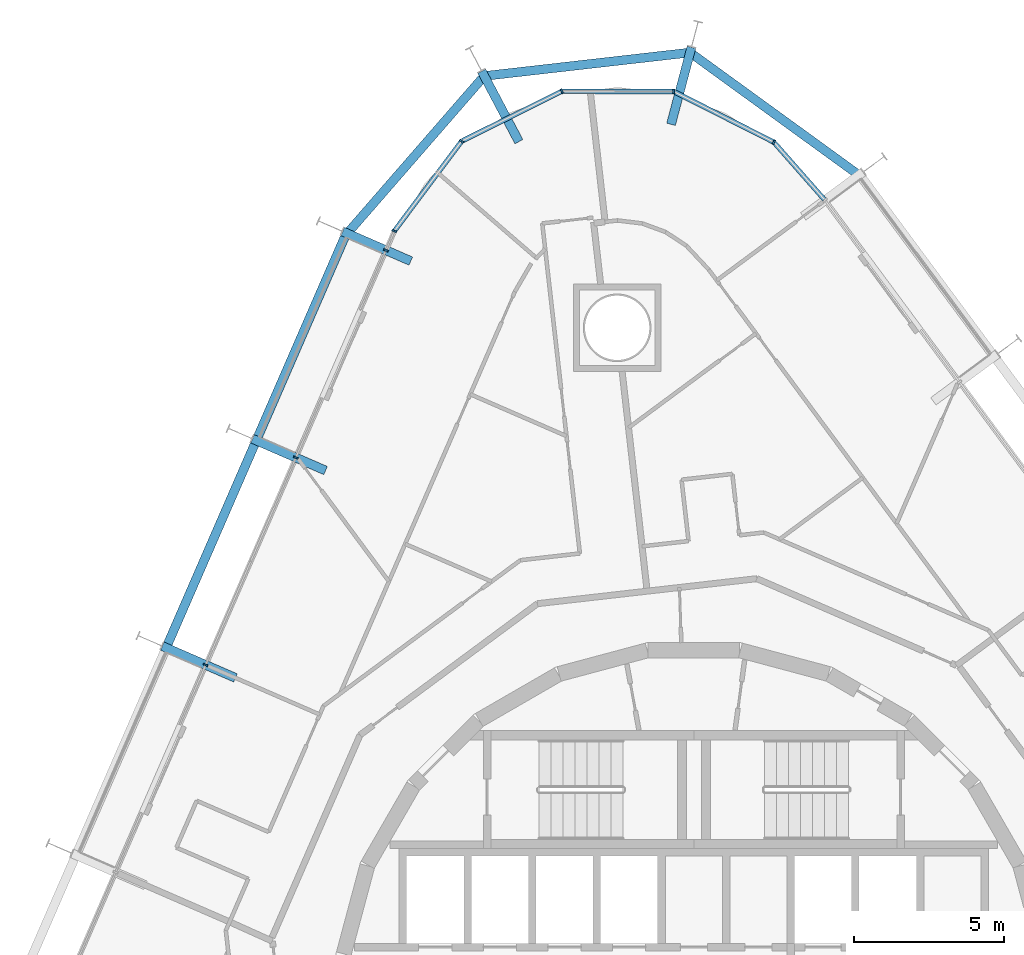
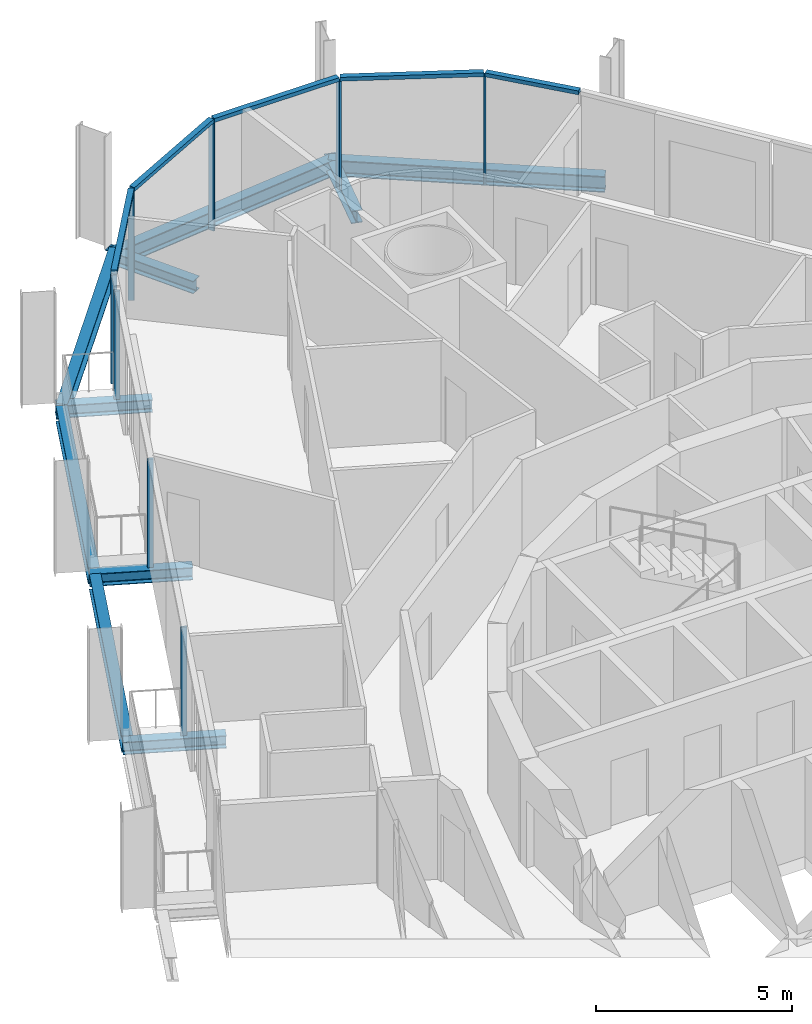
# One storey, part 9 of 24: 13 members, 10 beams, 2 elements without a shape of their own.
"""IFC4 building model written with IfcOpenShell, lengths in metres."""

import ifcopenshell
import ifcopenshell.guid

model = None  # the IFC model being written
_history = None  # IfcOwnerHistory: only IFC2X3 demands one
_inside = {}  # id of a spatial element -> (the spatial element, [elements in it])
_under = {}  # id of a project, library or spatial element -> (it, [spatial elements below it])
_declared = {}  # id of a project -> (the project, [libraries it declares])
_typed = {}  # id of a type object -> (the type object, [elements of that type])
_made_of = {}  # id of a material, layer set ... -> (it, [elements and type objects made of it])


def new_model(schema):
    """Start an empty IFC model of exactly this schema.

    Asked for "IFC4X3", IfcOpenShell would pick the latest addendum, in which some entities
    have other attributes; the version numbers below select the first issue.
    IFC2X3 requires an IfcOwnerHistory on every rooted entity: one is made here for all.
    """
    global model, _history
    if schema == "IFC4X3":
        model = ifcopenshell.file(schema_version=(4, 3, 0, 0))
    else:
        model = ifcopenshell.file(schema=schema)
    _inside.clear()
    _under.clear()
    _declared.clear()
    _typed.clear()
    _made_of.clear()
    _history = None
    if model.schema == "IFC2X3":
        org = make("IfcOrganization", Name="unknown")
        user = make(
            "IfcPersonAndOrganization",
            ThePerson=make("IfcPerson", FamilyName="unknown"),
            TheOrganization=org,
        )
        app = make(
            "IfcApplication",
            ApplicationDeveloper=org,
            Version="unknown",
            ApplicationFullName="unknown",
            ApplicationIdentifier="unknown",
        )
        _history = make(
            "IfcOwnerHistory",
            OwningUser=user,
            OwningApplication=app,
            ChangeAction="ADDED",
            CreationDate=0,
        )
    return model


def make(cls, **values):
    """One entity of the class cls with the attributes given. An attribute that is None is left unset."""
    return model.create_entity(
        cls, **{name: value for name, value in values.items() if value is not None}
    )


def rooted(cls, **values):
    """An entity with a GlobalId (a new one), such as an element, a storey or a relation."""
    return make(cls, GlobalId=ifcopenshell.guid.new(), OwnerHistory=_history, **values)


def si_unit(unit_type, name, prefix=None):
    """IfcSIUnit, for example si_unit("LENGTHUNIT", "METRE", prefix="MILLI")."""
    return make("IfcSIUnit", UnitType=unit_type, Prefix=prefix, Name=name)


def assignment(units):
    """IfcUnitAssignment: the units of a project."""
    return None if units is None else make("IfcUnitAssignment", Units=units)


def point(xyz):
    """IfcCartesianPoint."""
    return None if xyz is None else make("IfcCartesianPoint", Coordinates=xyz)


def direction(xyz):
    """IfcDirection."""
    return None if xyz is None else make("IfcDirection", DirectionRatios=xyz)


def frame(location, z_axis=None, x_axis=None):
    """IfcAxis2Placement3D, a coordinate frame: its origin and axes. An axis left out is left unset."""
    return make(
        "IfcAxis2Placement3D",
        Location=point(location),
        Axis=direction(z_axis),
        RefDirection=direction(x_axis),
    )


def frame_2d(location, x_axis=None):
    """IfcAxis2Placement2D, a coordinate frame in the plane: its origin and x axis."""
    return make(
        "IfcAxis2Placement2D", Location=point(location), RefDirection=direction(x_axis)
    )


def origin():
    """The frame at (0, 0, 0) with its axes left unset."""
    return frame((0.0, 0.0, 0.0))


def origin_2d():
    """The frame at (0, 0) in the plane with its x axis left unset."""
    return frame_2d((0.0, 0.0))


def place(relative_to, where):
    """IfcLocalPlacement: puts the frame where relative to a parent placement (None: the world)."""
    return make(
        "IfcLocalPlacement", PlacementRelTo=relative_to, RelativePlacement=where
    )


def context(
    kind, dimensions, precision=None, world=None, true_north=None, identifier=None
):
    """IfcGeometricRepresentationContext, for example the 3D "Model" context."""
    return make(
        "IfcGeometricRepresentationContext",
        ContextIdentifier=identifier,
        ContextType=kind,
        CoordinateSpaceDimension=dimensions,
        Precision=precision,
        WorldCoordinateSystem=world,
        TrueNorth=true_north,
    )


def subcontext(parent, identifier, kind, view, scale=None):
    """IfcGeometricRepresentationSubContext, for example "Body" below "Model"."""
    return make(
        "IfcGeometricRepresentationSubContext",
        ContextIdentifier=identifier,
        ContextType=kind,
        ParentContext=parent,
        TargetScale=scale,
        TargetView=view,
    )


def project(units=None, contexts=None):
    """IfcProject with its units and contexts."""
    return rooted(
        "IfcProject",
        Name="project",
        RepresentationContexts=contexts,
        UnitsInContext=assignment(units),
    )


def spatial(cls, under=None, at=None, **own):
    """A site, building, storey or space (cls), placed at a placement, below another one or the project."""
    s = rooted(cls, ObjectPlacement=at, **own)
    if under is not None:
        _under.setdefault(under.id(), (under, []))[1].append(s)
    return s


def profile(cls, at=None, kind="AREA", **sizes):
    """A parametric profile (cls). Its sizes go by their IFC names, for example OverallWidth=200.0."""
    return make(cls, ProfileType=kind, Position=at, **sizes)


def rectangle(**sizes):
    """IfcRectangleProfileDef."""
    return profile("IfcRectangleProfileDef", **sizes)


def i_section(**sizes):
    """IfcIShapeProfileDef."""
    return profile("IfcIShapeProfileDef", **sizes)


def extrude(swept, where, along, depth):
    """IfcExtrudedAreaSolid: the profile swept, set in the frame where, extruded along a direction by depth."""
    return make(
        "IfcExtrudedAreaSolid",
        SweptArea=swept,
        Position=where,
        ExtrudedDirection=direction(along),
        Depth=depth,
    )


def shape(context_of_items, identifier, shape_type, items):
    """IfcShapeRepresentation: the items that make up one representation, for example the "Body"."""
    return make(
        "IfcShapeRepresentation",
        ContextOfItems=context_of_items,
        RepresentationIdentifier=identifier,
        RepresentationType=shape_type,
        Items=items,
    )


def material(Name=None, Category=None):
    """IfcMaterial."""
    return make("IfcMaterial", Name=Name, Category=Category)


def layer(
    of_material, thickness, ventilated=None, Name=None, Category=None, Priority=None
):
    """IfcMaterialLayer: one layer of a wall or slab, of a material (None: an air gap)."""
    return make(
        "IfcMaterialLayer",
        Material=of_material,
        LayerThickness=thickness,
        IsVentilated=ventilated,
        Name=Name,
        Category=Category,
        Priority=Priority,
    )


def layer_set(layers, Name=None):
    """IfcMaterialLayerSet."""
    return make("IfcMaterialLayerSet", MaterialLayers=layers, LayerSetName=Name)


def material_profile(
    of_material, cross_section, Name=None, Category=None, Priority=None
):
    """IfcMaterialProfile: a cross section and its material."""
    return make(
        "IfcMaterialProfile",
        Name=Name,
        Material=of_material,
        Profile=cross_section,
        Priority=Priority,
        Category=Category,
    )


def profile_set(profiles, Name=None, composite=None):
    """IfcMaterialProfileSet."""
    return make(
        "IfcMaterialProfileSet",
        Name=Name,
        MaterialProfiles=profiles,
        CompositeProfile=composite,
    )


def made_of(thing, what):
    """Note that an element or type object is made of a material, layer set ...; save() writes the relation."""
    if what is not None:
        _made_of.setdefault(what.id(), (what, []))[1].append(thing)
    return thing


def type_object(cls, material=None, **own):
    """A type object (cls), such as IfcWallType, which elements share."""
    return made_of(rooted(cls, **own), material)


def element(
    cls,
    number,
    at=None,
    inside=None,
    cuts=None,
    type_object=None,
    material=None,
    context=None,
    identifier="Body",
    shape_type=None,
    held_by="IfcProductDefinitionShape",
    body=None,
    shapes=None,
    **own,
):
    """One element of the class cls, such as IfcWall. Its Tag is "e" and its number.

    at: its placement. inside: the storey or other place that contains it. cuts: it is an
    opening in that element (IfcRelVoidsElement). A single representation is given by context,
    identifier, shape_type and body (its items); several are given by shapes. held_by: the class
    of the entity that holds the representations. save() writes the other relations.
    """
    e = rooted(cls, Tag="e%d" % number, ObjectPlacement=at, **own)
    if body is not None:
        shapes = [shape(context, identifier, shape_type, body)]
    if shapes is not None:
        e.Representation = make(held_by, Representations=shapes)
    if inside is not None:
        _inside.setdefault(inside.id(), (inside, []))[1].append(e)
    if cuts is not None:
        rooted(
            "IfcRelVoidsElement", RelatingBuildingElement=cuts, RelatedOpeningElement=e
        )
    if type_object is not None:
        _typed.setdefault(type_object.id(), (type_object, []))[1].append(e)
    return made_of(e, material)


def aggregate(whole, parts):
    """IfcRelAggregates: a whole, such as a stair, and the parts it consists of."""
    return rooted("IfcRelAggregates", RelatingObject=whole, RelatedObjects=parts)


def save(model, path):
    """Write the relations noted so far, then the file.

    IfcRelAggregates (storeys below a building ...), IfcRelContainedInSpatialStructure (elements
    in a storey), IfcRelDefinesByType, IfcRelAssociatesMaterial and IfcRelDeclares: one each for
    every whole, place, type object, material and project.
    """
    for whole, parts in _under.values():
        aggregate(whole, parts)
    for where, things in _inside.values():
        rooted(
            "IfcRelContainedInSpatialStructure",
            RelatedElements=things,
            RelatingStructure=where,
        )
    for kind, things in _typed.values():
        rooted("IfcRelDefinesByType", RelatedObjects=things, RelatingType=kind)
    for what, things in _made_of.values():
        rooted("IfcRelAssociatesMaterial", RelatedObjects=things, RelatingMaterial=what)
    for by, libraries in _declared.values():
        rooted("IfcRelDeclares", RelatingContext=by, RelatedDefinitions=libraries)
    model.write(path)


model = new_model("IFC4")

# Units and contexts
model_context = context("Model", 3, precision=1e-05, world=origin(), true_north=direction((0.0, 1.0)))
body_context = subcontext(model_context, "Body", "Model", "MODEL_VIEW")
ifc_project = project(units=[si_unit("LENGTHUNIT", "METRE"), si_unit("AREAUNIT", "SQUARE_METRE"), si_unit("VOLUMEUNIT", "CUBIC_METRE"), si_unit("PLANEANGLEUNIT", "RADIAN"), si_unit("MASSUNIT", "GRAM", prefix="KILO")], contexts=[model_context])

# Site, building, storey
site_placement = place(None, origin())
site = spatial("IfcSite", under=ifc_project, at=site_placement, CompositionType="ELEMENT")
building_placement = place(site_placement, origin())
building = spatial("IfcBuilding", under=site, at=building_placement, Name="Spindle Arch Residences", CompositionType="ELEMENT")
storey_placement = place(building_placement, frame((0.0, 0.0, 101.199951171875)))
storey = spatial("IfcBuildingStorey", under=building, at=storey_placement, Name="L24", CompositionType="ELEMENT", Elevation=101.199951171875)

# Curtain wall, members
ifc_material_1 = material(Name="Aluminium bronze unitised frame with tinted glass", Category="aluminium")
ifc_layer_1 = layer(ifc_material_1, 0.159912109375)
ifc_layer_set_1 = layer_set([ifc_layer_1], Name="CW-D corner wall on the fillet arcs")
curtain_wall_type_1 = type_object("IfcCurtainWallType", Name="CW-D corner wall on the fillet arcs", PredefinedType="NOTDEFINED", material=ifc_layer_set_1)
curtain_wall_1_placement = place(storey_placement, origin())
curtain_wall_1 = element("IfcCurtainWall", 1, at=curtain_wall_1_placement, inside=storey, type_object=curtain_wall_type_1, Name="CW-D L24 run 3", PredefinedType="NOTDEFINED")
ifc_material_2 = material(Name="Aluminium bronze anodised mullion", Category="aluminium")
ifc_material_profile_1 = material_profile(ifc_material_2, rectangle(XDim=0.159912109375, YDim=0.06005859375, at=origin_2d()), Name="MU 60x160")
ifc_profile_set_1 = profile_set([ifc_material_profile_1], Name="Aluminium bronze anodised mullion")
member_type_1 = type_object("IfcMemberType", Name="Bronze mullion 60x160", PredefinedType="MULLION", material=ifc_profile_set_1)
member_1_placement = place(storey_placement, frame((2.662841796875, 28.544921875, -0.3798828125), z_axis=(0.0, 0.0, 1.0), x_axis=(-0.451396753797, -0.892323355439, 0.0)))
member_1 = element("IfcMember", 2, at=member_1_placement, type_object=member_type_1, Name="CW-D mullion 01", PredefinedType="MULLION", context=body_context, shape_type="SweptSolid", body=[
    extrude(rectangle(XDim=0.159912109375, YDim=0.06005859375, at=origin_2d()), origin(), (0.0, 0.0, 1.0), 3.3798828125),
])
member_2_placement = place(storey_placement, frame((-0.66259765625, 30.22705078125, -0.3798828125), z_axis=(0.0, 0.0, 1.0), x_axis=(-0.002908881551, -0.999995769195, 0.0)))
member_2 = element("IfcMember", 3, at=member_2_placement, type_object=member_type_1, Name="CW-D mullion 02", PredefinedType="MULLION", context=body_context, shape_type="SweptSolid", body=[
    extrude(rectangle(XDim=0.159912109375, YDim=0.06005859375, at=origin_2d()), origin(), (0.0, 0.0, 1.0), 3.3798828125),
])
member_3_placement = place(storey_placement, frame((-4.38916015625, 30.23779296875, -0.3798828125), z_axis=(0.0, 0.0, 1.0), x_axis=(0.446197812813, -0.89493436175, 0.0)))
member_3 = element("IfcMember", 4, at=member_3_placement, type_object=member_type_1, Name="CW-D mullion 03", PredefinedType="MULLION", context=body_context, shape_type="SweptSolid", body=[
    extrude(rectangle(XDim=0.159912109375, YDim=0.06005859375, at=origin_2d()), origin(), (0.0, 0.0, 1.0), 3.3798828125),
])
member_4_placement = place(storey_placement, frame((-7.724365234375, 28.574951171875, -0.3798828125), z_axis=(0.0, 0.0, 1.0), x_axis=(0.800382739909, -0.599489340736, 0.0)))
member_4 = element("IfcMember", 5, at=member_4_placement, type_object=member_type_1, Name="CW-D mullion 04", PredefinedType="MULLION", context=body_context, shape_type="SweptSolid", body=[
    extrude(rectangle(XDim=0.159912109375, YDim=0.06005859375, at=origin_2d()), origin(), (0.0, 0.0, 1.0), 3.3798828125),
])
member_5_placement = place(storey_placement, frame((-9.958740234375, 25.59228515625, -0.3798828125), z_axis=(0.0, 0.0, 1.0), x_axis=(0.917060074385, -0.398749068925, 0.0)))
member_5 = element("IfcMember", 6, at=member_5_placement, type_object=member_type_1, Name="CW-D mullion 05", PredefinedType="MULLION", context=body_context, shape_type="SweptSolid", body=[
    extrude(rectangle(XDim=0.159912109375, YDim=0.06005859375, at=origin_2d()), origin(), (0.0, 0.0, 1.0), 3.3798828125),
])

ifc_material_3 = material(Name="Aluminium bronze unitised frame with tinted glass", Category="aluminium")
ifc_layer_2 = layer(ifc_material_3, 0.159912109375)
ifc_layer_set_2 = layer_set([ifc_layer_2], Name="CW-C typical residential unitised wall")
curtain_wall_type_2 = type_object("IfcCurtainWallType", Name="CW-C typical residential unitised wall", PredefinedType="NOTDEFINED", material=ifc_layer_set_2)
curtain_wall_2_placement = place(storey_placement, origin())
curtain_wall_2 = element("IfcCurtainWall", 7, at=curtain_wall_2_placement, inside=storey, type_object=curtain_wall_type_2, Name="CW-C L24 run 4", PredefinedType="NOTDEFINED")
member_6_placement = place(storey_placement, frame((-10.23828125, 24.94873046875, -0.3798828125), z_axis=(0.0, 0.0, 1.0), x_axis=(0.917060074385, -0.398749068925, 0.0)))
member_6 = element("IfcMember", 8, at=member_6_placement, type_object=member_type_1, Name="CW-C mullion 13", PredefinedType="MULLION", context=body_context, shape_type="SweptSolid", body=[
    extrude(rectangle(XDim=0.159912109375, YDim=0.06005859375, at=origin_2d()), origin(), (0.0, 0.0, 1.0), 3.3798828125),
])
member_7_placement = place(storey_placement, frame((-13.236572265625, 18.0537109375, -0.3798828125), z_axis=(0.0, 0.0, 1.0), x_axis=(0.917060074385, -0.398749068925, 0.0)))
member_7 = element("IfcMember", 9, at=member_7_placement, type_object=member_type_1, Name="CW-C mullion 14", PredefinedType="MULLION", context=body_context, shape_type="SweptSolid", body=[
    extrude(rectangle(XDim=0.159912109375, YDim=0.06005859375, at=origin_2d()), origin(), (0.0, 0.0, 1.0), 3.3798828125),
])
member_8_placement = place(storey_placement, frame((-16.234619140625, 11.158447265625, -0.3798828125), z_axis=(0.0, 0.0, 1.0), x_axis=(0.917060074385, -0.398749068925, 0.0)))
member_8 = element("IfcMember", 10, at=member_8_placement, type_object=member_type_1, Name="CW-C mullion 15", PredefinedType="MULLION", context=body_context, shape_type="SweptSolid", body=[
    extrude(rectangle(XDim=0.159912109375, YDim=0.06005859375, at=origin_2d()), origin(), (0.0, 0.0, 1.0), 3.3798828125),
])
aggregate(curtain_wall_2, [member_6, member_7, member_8])

# Member
ifc_material_4 = material(Name="Aluminium bronze anodised transom", Category="aluminium")
ifc_material_profile_2 = material_profile(ifc_material_4, rectangle(XDim=0.159912109375, YDim=0.1201171875, at=origin_2d()), Name="TR 120x160")
ifc_profile_set_2 = profile_set([ifc_material_profile_2], Name="Aluminium bronze anodised transom")
member_type_2 = type_object("IfcMemberType", Name="Bronze transom 120x160", PredefinedType="USERDEFINED", material=ifc_profile_set_2)
member_9_placement = place(storey_placement, frame((4.34375, 26.635009765625, 3.06005859375), z_axis=(-0.660660732339, 0.750684618695, 0.0), x_axis=(-0.750684618695, -0.660660732339, 0.0)))
member_9 = element("IfcMember", 11, at=member_9_placement, type_object=member_type_2, Name="CW-D transom 00", ObjectType="TRANSOM", PredefinedType="USERDEFINED", context=body_context, shape_type="SweptSolid", body=[
    extrude(rectangle(XDim=0.159912109375, YDim=0.1201171875, at=origin_2d()), origin(), (0.0, 0.0, 1.0), 2.513916015625),
])

member_10_placement = place(storey_placement, frame((2.63623046875, 28.558349609375, 3.06005859375), z_axis=(-0.892313345479, 0.45141654099, 0.0), x_axis=(-0.45141654099, -0.892313345479, 0.0)))
member_10 = element("IfcMember", 12, at=member_10_placement, type_object=member_type_2, Name="CW-D transom 01", ObjectType="TRANSOM", PredefinedType="USERDEFINED", context=body_context, shape_type="SweptSolid", body=[
    extrude(rectangle(XDim=0.159912109375, YDim=0.1201171875, at=origin_2d()), origin(), (0.0, 0.0, 1.0), 3.666748046875),
])

member_11_placement = place(storey_placement, frame((-0.692626953125, 30.22705078125, 3.06005859375), z_axis=(-0.999995708684, 0.002929609906, 0.0), x_axis=(-0.002929609906, -0.999995708684, 0.0)))
member_11 = element("IfcMember", 13, at=member_11_placement, type_object=member_type_2, Name="CW-D transom 02", ObjectType="TRANSOM", PredefinedType="USERDEFINED", context=body_context, shape_type="SweptSolid", body=[
    extrude(rectangle(XDim=0.159912109375, YDim=0.1201171875, at=origin_2d()), origin(), (0.0, 0.0, 1.0), 3.666748046875),
])

member_12_placement = place(storey_placement, frame((-4.416015625, 30.224609375, 3.06005859375), z_axis=(-0.894919349856, -0.446227920745, 0.0), x_axis=(0.446227920745, -0.894919349856, 0.0)))
member_12 = element("IfcMember", 14, at=member_12_placement, type_object=member_type_2, Name="CW-D transom 03", ObjectType="TRANSOM", PredefinedType="USERDEFINED", context=body_context, shape_type="SweptSolid", body=[
    extrude(rectangle(XDim=0.159912109375, YDim=0.1201171875, at=origin_2d()), origin(), (0.0, 0.0, 1.0), 3.666748046875),
])

member_13_placement = place(storey_placement, frame((-7.742431640625, 28.551025390625, 3.06005859375), z_axis=(-0.599499190139, -0.800375362579, 0.0), x_axis=(0.800375362579, -0.599499190139, 0.0)))
member_13 = element("IfcMember", 15, at=member_13_placement, type_object=member_type_2, Name="CW-D transom 04", ObjectType="TRANSOM", PredefinedType="USERDEFINED", context=body_context, shape_type="SweptSolid", body=[
    extrude(rectangle(XDim=0.159912109375, YDim=0.1201171875, at=origin_2d()), origin(), (0.0, 0.0, 1.0), 3.666748046875),
])

aggregate(curtain_wall_1, [member_9, member_1, member_10, member_2, member_11, member_3, member_12, member_4, member_13, member_5])

# Beams
ifc_material_5 = material(Name="Steel S460ML, intumescent coating R 120", Category="steel")
ifc_material_profile_3 = material_profile(ifc_material_5, i_section(OverallWidth=0.300048828125, OverallDepth=0.5, WebThickness=0.014404296875, FlangeThickness=0.028076171875, FilletRadius=0.027099609375, at=origin_2d()), Name="HEB 500")
ifc_profile_set_3 = profile_set([ifc_material_profile_3], Name="Steel S460ML, intumescent coating R 120")
beam_type_1 = type_object("IfcBeamType", Name="Exoskeleton edge beam HEB 500", PredefinedType="BEAM", material=ifc_profile_set_3)
beam_1_placement = place(storey_placement, frame((5.552734375, 27.40478515625, -0.6298828125), z_axis=(-0.809296745618, 0.587400014923, 0.0), x_axis=(-0.587400014923, -0.809296745618, 0.0)))
element("IfcBeam", 16, at=beam_1_placement, inside=storey, type_object=beam_type_1, Name="Exoskeleton edge beam 11", PredefinedType="BEAM", context=body_context, shape_type="SweptSolid", body=[
    extrude(i_section(OverallWidth=0.300048828125, OverallDepth=0.5, WebThickness=0.014404296875, FlangeThickness=0.028076171875, FilletRadius=0.027099609375, at=origin_2d()), origin(), (0.0, 0.0, 1.0), 7.094482421875),
])
beam_2_placement = place(storey_placement, frame((-0.02685546875, 31.5361328125, -0.6298828125), z_axis=(-0.993571479585, -0.11320651463, 0.0), x_axis=(0.11320651463, -0.993571479585, 0.0)))
element("IfcBeam", 17, at=beam_2_placement, inside=storey, type_object=beam_type_1, Name="Exoskeleton edge beam 12", PredefinedType="BEAM", context=body_context, shape_type="SweptSolid", body=[
    extrude(i_section(OverallWidth=0.300048828125, OverallDepth=0.5, WebThickness=0.014404296875, FlangeThickness=0.028076171875, FilletRadius=0.027099609375, at=origin_2d()), origin(), (0.0, 0.0, 1.0), 7.086669921875),
])
beam_3_placement = place(storey_placement, frame((-6.918212890625, 30.80517578125, -0.6298828125), z_axis=(-0.656418952224, -0.754396552989, 0.0), x_axis=(0.754396552989, -0.656418952224, 0.0)))
element("IfcBeam", 18, at=beam_3_placement, inside=storey, type_object=beam_type_1, Name="Exoskeleton edge beam 13", PredefinedType="BEAM", context=body_context, shape_type="SweptSolid", body=[
    extrude(i_section(OverallWidth=0.300048828125, OverallDepth=0.5, WebThickness=0.014404296875, FlangeThickness=0.028076171875, FilletRadius=0.027099609375, at=origin_2d()), origin(), (0.0, 0.0, 1.0), 7.09423828125),
])
beam_4_placement = place(storey_placement, frame((-11.604248046875, 25.40087890625, -0.6298828125), z_axis=(-0.398772846535, -0.91704973522, 0.0), x_axis=(0.91704973522, -0.398772846535, 0.0)))
element("IfcBeam", 19, at=beam_4_placement, inside=storey, type_object=beam_type_1, Name="Exoskeleton edge beam 14", PredefinedType="BEAM", context=body_context, shape_type="SweptSolid", body=[
    extrude(i_section(OverallWidth=0.300048828125, OverallDepth=0.5, WebThickness=0.014404296875, FlangeThickness=0.028076171875, FilletRadius=0.027099609375, at=origin_2d()), origin(), (0.0, 0.0, 1.0), 7.258544921875),
])
beam_5_placement = place(storey_placement, frame((-14.602294921875, 18.505859375, -0.6298828125), z_axis=(-0.398760546857, -0.917055083553, 0.0), x_axis=(0.917055083553, -0.398760546857, 0.0)))
element("IfcBeam", 20, at=beam_5_placement, inside=storey, type_object=beam_type_1, Name="Exoskeleton edge beam 15", PredefinedType="BEAM", context=body_context, shape_type="SweptSolid", body=[
    extrude(i_section(OverallWidth=0.300048828125, OverallDepth=0.5, WebThickness=0.014404296875, FlangeThickness=0.028076171875, FilletRadius=0.027099609375, at=origin_2d()), origin(), (0.0, 0.0, 1.0), 7.2587890625),
])
ifc_material_6 = material(Name="Steel S460ML, intumescent coating R 120", Category="steel")
ifc_material_profile_4 = material_profile(ifc_material_6, i_section(OverallWidth=0.300048828125, OverallDepth=0.389892578125, WebThickness=0.010986328125, FlangeThickness=0.01904296875, FilletRadius=0.027099609375, at=origin_2d()), Name="HEA 400")
ifc_profile_set_4 = profile_set([ifc_material_profile_4], Name="Steel S460ML, intumescent coating R 120")
beam_type_2 = type_object("IfcBeamType", Name="Floor outrigger HEA 400", PredefinedType="BEAM", material=ifc_profile_set_4)
beam_6_placement = place(storey_placement, frame((-0.079345703125, 31.698974609375, -0.574951171875), z_axis=(-0.255930543214, -0.966695172767, 0.0), x_axis=(0.966695172767, -0.255930543214, 0.0)))
element("IfcBeam", 21, at=beam_6_placement, inside=storey, type_object=beam_type_2, Name="Floor outrigger 12", PredefinedType="BEAM", context=body_context, shape_type="SweptSolid", body=[
    extrude(i_section(OverallWidth=0.300048828125, OverallDepth=0.389892578125, WebThickness=0.010986328125, FlangeThickness=0.01904296875, FilletRadius=0.027099609375, at=origin_2d()), origin(), (0.0, 0.0, 1.0), 2.650146484375),
])
beam_7_placement = place(storey_placement, frame((-7.05322265625, 30.904296875, -0.574951171875), z_axis=(0.466748611055, -0.88439003504, 0.0), x_axis=(0.88439003504, 0.466748611055, 0.0)))
element("IfcBeam", 22, at=beam_7_placement, inside=storey, type_object=beam_type_2, Name="Floor outrigger 13", PredefinedType="BEAM", context=body_context, shape_type="SweptSolid", body=[
    extrude(i_section(OverallWidth=0.300048828125, OverallDepth=0.389892578125, WebThickness=0.010986328125, FlangeThickness=0.01904296875, FilletRadius=0.027099609375, at=origin_2d()), origin(), (0.0, 0.0, 1.0), 2.64990234375),
])
beam_8_placement = place(storey_placement, frame((-11.677978515625, 25.574951171875, -0.574951171875), z_axis=(0.917041778062, -0.398791144948, 0.0), x_axis=(0.398791144948, 0.917041778062, 0.0)))
element("IfcBeam", 23, at=beam_8_placement, inside=storey, type_object=beam_type_2, Name="Floor outrigger 14", PredefinedType="BEAM", context=body_context, shape_type="SweptSolid", body=[
    extrude(i_section(OverallWidth=0.300048828125, OverallDepth=0.389892578125, WebThickness=0.010986328125, FlangeThickness=0.01904296875, FilletRadius=0.027099609375, at=origin_2d()), origin(), (0.0, 0.0, 1.0), 2.470947265625),
])
for number, where, z_axis, x_axis, name in (
    (24, (-14.67626953125, 18.6796875, -0.574951171875), (0.917064197317, -0.398739586698, 0.0), (0.398739586698, 0.917064197317, 0.0), "Floor outrigger 15"),
    (25, (-17.67431640625, 11.784423828125, -0.574951171875), (0.917064197317, -0.398739586698, 0.0), (0.398739586698, 0.917064197317, 0.0), "Floor outrigger 16"),
):
    element("IfcBeam", number, at=place(storey_placement, frame(where, z_axis=z_axis, x_axis=x_axis)), inside=storey, type_object=beam_type_2, Name=name, PredefinedType="BEAM", context=body_context, shape_type="SweptSolid", body=[
        extrude(i_section(OverallWidth=0.300048828125, OverallDepth=0.389892578125, WebThickness=0.010986328125, FlangeThickness=0.01904296875, FilletRadius=0.027099609375, at=origin_2d()), origin(), (0.0, 0.0, 1.0), 2.64990234375),
    ])

save(model, "model.ifc")
